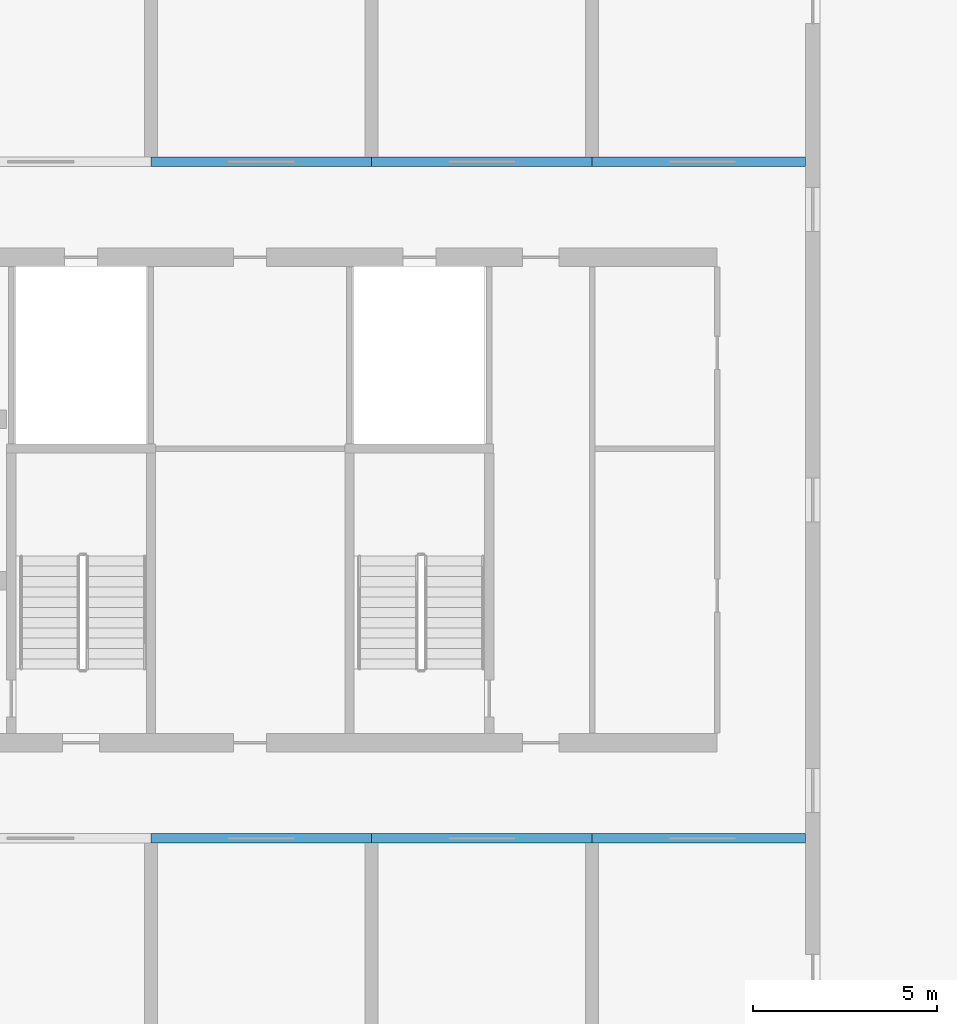
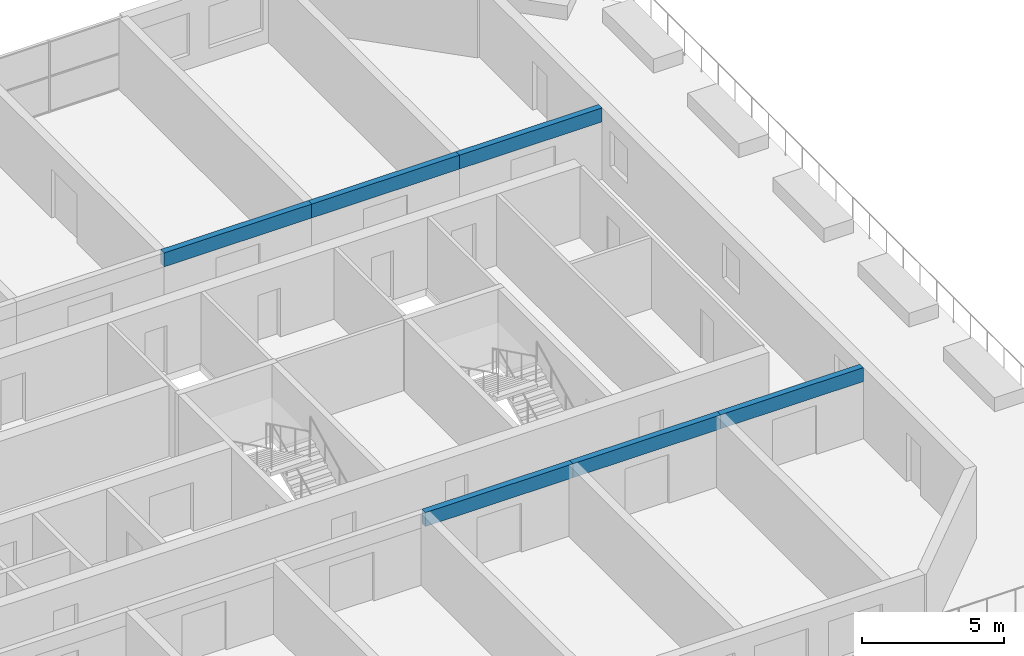
# One storey, part 4 of 18: 6 beams.
"""IFC4 building model written with IfcOpenShell, lengths in metres."""

from ifc_helpers import new_model, si_unit, direction, frame, origin, origin_2d, place, context, subcontext, project, spatial, rectangle, extrude, source, transform, mapped, material, material_profile, profile_set, type_object, element, save


model = new_model("IFC4")

# Units and contexts
model_context = context("Model", 3, precision=1e-05, world=origin(), true_north=direction((0.0, 1.0)))
body_context = subcontext(model_context, "Body", "Model", "MODEL_VIEW")
ifc_project = project(units=[si_unit("LENGTHUNIT", "METRE"), si_unit("AREAUNIT", "SQUARE_METRE"), si_unit("VOLUMEUNIT", "CUBIC_METRE"), si_unit("PLANEANGLEUNIT", "RADIAN"), si_unit("MASSUNIT", "GRAM", prefix="KILO")], contexts=[model_context])

# Site, building, storey
site_placement = place(None, origin())
site = spatial("IfcSite", under=ifc_project, at=site_placement, CompositionType="ELEMENT")
building_placement = place(site_placement, origin())
building = spatial("IfcBuilding", under=site, at=building_placement, Name="Poui Terraces", CompositionType="ELEMENT")
storey_placement = place(building_placement, frame((0.0, 0.0, 105.89990234375)))
storey = spatial("IfcBuildingStorey", under=building, at=storey_placement, Name="L29", CompositionType="ELEMENT", Elevation=105.89990234375)

# Beams
ifc_material = material(Name="Concrete 65 MPa", Category="concrete")
ifc_material_profile = material_profile(ifc_material, rectangle(XDim=0.25, YDim=0.60009765625, at=origin_2d()), Name="RC 250x600")
ifc_profile_set = profile_set([ifc_material_profile], Name="Concrete 65 MPa")
beam_type = type_object("IfcBeamType", Name="COUPLING BEAM 250x600 65MPa", PredefinedType="BEAM", material=ifc_profile_set)
shared_shape_1 = source(origin(), body_context, "Body", "SweptSolid", [
    extrude(rectangle(XDim=0.25, YDim=0.60009765625, at=origin_2d()), origin(), (0.0, 0.0, 1.0), 5.800048828125),
])
for number, where, z_axis, x_axis, name in (
    (1, (84.0, 12.0, 2.760009765625), (1.0, 0.0, 0.0), (0.0, 1.0, 0.0), "COUPLING BEAM LINE B BAY 13"),
    (2, (84.0, 30.39990234375, 2.760009765625), (1.0, 0.0, 0.0), (0.0, 1.0, 0.0), "COUPLING BEAM LINE E BAY 13"),
):
    element("IfcBeam", number, at=place(storey_placement, frame(where, z_axis=z_axis, x_axis=x_axis)), inside=storey, type_object=beam_type, Name=name, PredefinedType="BEAM", context=body_context, shape_type="MappedRepresentation", body=[
        mapped(shared_shape_1, transform((0.0, 0.0, 0.0))),
    ])
shared_shape_2 = source(origin(), body_context, "Body", "SweptSolid", [
    extrude(rectangle(XDim=0.25, YDim=0.60009765625, at=origin_2d()), origin(), (0.0, 0.0, 1.0), 6.0),
])
for number, where, z_axis, x_axis, name in (
    (3, (72.0, 12.0, 2.760009765625), (1.0, 0.0, 0.0), (0.0, 1.0, 0.0), "COUPLING BEAM LINE B BAY 11"),
    (4, (78.0, 12.0, 2.760009765625), (1.0, 0.0, 0.0), (0.0, 1.0, 0.0), "COUPLING BEAM LINE B BAY 12"),
    (5, (72.0, 30.39990234375, 2.760009765625), (1.0, 0.0, 0.0), (0.0, 1.0, 0.0), "COUPLING BEAM LINE E BAY 11"),
    (6, (78.0, 30.39990234375, 2.760009765625), (1.0, 0.0, 0.0), (0.0, 1.0, 0.0), "COUPLING BEAM LINE E BAY 12"),
):
    element("IfcBeam", number, at=place(storey_placement, frame(where, z_axis=z_axis, x_axis=x_axis)), inside=storey, type_object=beam_type, Name=name, PredefinedType="BEAM", context=body_context, shape_type="MappedRepresentation", body=[
        mapped(shared_shape_2, transform((0.0, 0.0, 0.0))),
    ])

save(model, "model.ifc")
